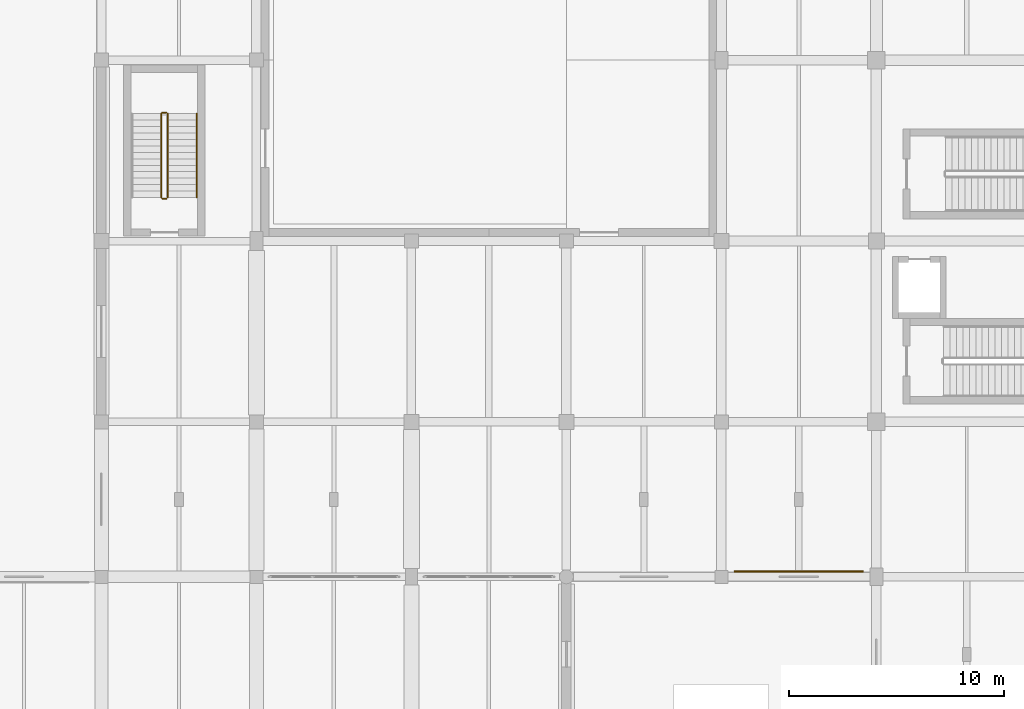
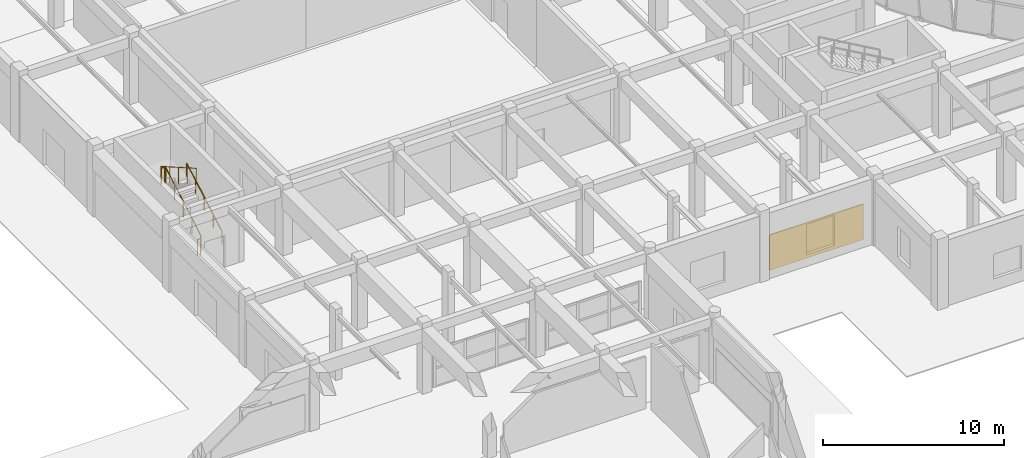
# One storey, part 58 of 72: 5 railings, 1 covering.
"""IFC4 building model written with IfcOpenShell, lengths in metres."""

from ifc_helpers import new_model, si_unit, direction, frame, origin, origin_2d, place, context, subcontext, project, spatial, rectangle, circle, extrude, material, layer, layer_set, type_object, element, save


model = new_model("IFC4")

# Units and contexts
model_context = context("Model", 3, precision=1e-05, world=origin(), true_north=direction((0.0, 1.0)))
body_context = subcontext(model_context, "Body", "Model", "MODEL_VIEW")
ifc_project = project(units=[si_unit("LENGTHUNIT", "METRE"), si_unit("AREAUNIT", "SQUARE_METRE"), si_unit("VOLUMEUNIT", "CUBIC_METRE"), si_unit("PLANEANGLEUNIT", "RADIAN"), si_unit("MASSUNIT", "GRAM", prefix="KILO")], contexts=[model_context])

# Site, building, storey
site_placement = place(None, origin())
site = spatial("IfcSite", under=ifc_project, at=site_placement, CompositionType="ELEMENT")
building_placement = place(site_placement, origin())
building = spatial("IfcBuilding", under=site, at=building_placement, Name="Korsvaeld Concert Hall", CompositionType="ELEMENT")
storey_placement = place(building_placement, origin())
storey = spatial("IfcBuildingStorey", under=building, at=storey_placement, Name="L00", CompositionType="ELEMENT", Elevation=0.0)

# Covering
ifc_material_1 = material(Name="Bornholm Nexo rose-red sandstone ashlar cladding", Category="masonry")
ifc_layer = layer(ifc_material_1, 0.050048828125)
ifc_layer_set = layer_set([ifc_layer], Name="Bornholm Nexo rose-red sandstone ashlar cladding")
covering_type = type_object("IfcCoveringType", Name="COV-CLAD-NEXO", PredefinedType="CLADDING", material=ifc_layer_set)
covering_placement = place(storey_placement, frame((46.800048828125, 36.2451171875, 0.199951171875), z_axis=(0.0, 0.0, 1.0), x_axis=(-1.0, 0.0, 0.0)))
element("IfcCovering", 1, at=covering_placement, inside=storey, type_object=covering_type, Name="Ventilated Nexo sandstone colonnade cladding 120", PredefinedType="CLADDING", context=body_context, shape_type="SweptSolid", body=[
    extrude(rectangle(XDim=6.0, YDim=0.050048828125, at=origin_2d()), origin(), (0.0, 0.0, 1.0), 2.39990234375),
])

# Railings
ifc_material_2 = material(Name="Powder-coated steel and bronze stair guardrail", Category="steel")
railing_type_1 = type_object("IfcRailingType", Name="RL-STAIR-GUARD-120", PredefinedType="GUARDRAIL", material=ifc_material_2)
railing_1_placement = place(storey_placement, frame((17.469970703125, 53.6201171875, 0.17138671875)))
element("IfcRailing", 2, at=railing_1_placement, inside=storey, type_object=railing_type_1, Name="L00 ST-F3 stair guard 1", PredefinedType="GUARDRAIL", context=body_context, shape_type="SweptSolid", body=[
    extrude(circle(Radius=0.02392578125, at=origin_2d()), frame((0.0, 0.0, 1.076171875), z_axis=(0.0, 0.868243142124, 0.496138938357), x_axis=(-1.0, 0.0, 0.0)), (0.0, 0.0, 1.0), 4.49169921875),
    extrude(circle(Radius=0.02099609375, at=origin_2d()), origin(), (0.0, 0.0, 1.0), 1.052001953125),
    extrude(circle(Radius=0.02099609375, at=origin_2d()), frame((0.0, 0.97509765625, 0.55712890625)), (0.0, 0.0, 1.0), 1.052001953125),
    extrude(circle(Radius=0.02099609375, at=origin_2d()), frame((0.0, 1.949951171875, 1.1142578125)), (0.0, 0.0, 1.0), 1.052001953125),
    extrude(circle(Radius=0.02099609375, at=origin_2d()), frame((0.0, 2.9248046875, 1.67138671875)), (0.0, 0.0, 1.0), 1.052001953125),
    extrude(circle(Radius=0.02099609375, at=origin_2d()), frame((0.0, 3.89990234375, 2.228515625)), (0.0, 0.0, 1.0), 1.052001953125),
])
railing_2_placement = place(storey_placement, frame((17.419921875, 57.570068359375, 2.39990234375)))
element("IfcRailing", 3, at=railing_2_placement, inside=storey, type_object=railing_type_1, Name="L00 ST-F3 stair guard 2", PredefinedType="GUARDRAIL", context=body_context, shape_type="SweptSolid", body=[
    extrude(circle(Radius=0.02392578125, at=origin_2d()), frame((0.0, 0.0, 1.076171875), z_axis=(-1.0, 0.0, 0.0), x_axis=(0.0, -1.0, 0.0)), (0.0, 0.0, 1.0), 0.199951171875),
    extrude(circle(Radius=0.02099609375, at=origin_2d()), origin(), (0.0, 0.0, 1.0), 1.052001953125),
    extrude(circle(Radius=0.02099609375, at=origin_2d()), frame((-0.199951171875, 0.0, 0.0)), (0.0, 0.0, 1.0), 1.052001953125),
])
railing_3_placement = place(storey_placement, frame((17.169921875, 57.52001953125, 2.571533203125)))
element("IfcRailing", 4, at=railing_3_placement, inside=storey, type_object=railing_type_1, Name="L00 ST-F3 stair guard 3", PredefinedType="GUARDRAIL", context=body_context, shape_type="SweptSolid", body=[
    extrude(circle(Radius=0.02392578125, at=origin_2d()), frame((0.0, 0.0, 1.076171875), z_axis=(0.0, -0.868243142124, 0.496138938357), x_axis=(1.0, 0.0, 0.0)), (0.0, 0.0, 1.0), 4.49169921875),
    extrude(circle(Radius=0.02099609375, at=origin_2d()), origin(), (0.0, 0.0, 1.0), 1.052001953125),
    extrude(circle(Radius=0.02099609375, at=origin_2d()), frame((0.0, -0.97509765625, 0.55712890625)), (0.0, 0.0, 1.0), 1.052001953125),
    extrude(circle(Radius=0.02099609375, at=origin_2d()), frame((0.0, -1.949951171875, 1.1142578125)), (0.0, 0.0, 1.0), 1.052001953125),
    extrude(circle(Radius=0.02099609375, at=origin_2d()), frame((0.0, -2.9248046875, 1.67138671875)), (0.0, 0.0, 1.0), 1.052001953125),
    extrude(circle(Radius=0.02099609375, at=origin_2d()), frame((0.0, -3.89990234375, 2.228515625)), (0.0, 0.0, 1.0), 1.052001953125),
])
railing_4_placement = place(storey_placement, frame((17.419921875, 53.570068359375, 0.0)))
element("IfcRailing", 5, at=railing_4_placement, inside=storey, type_object=railing_type_1, Name="L00 ST-F3 stair guard 4", PredefinedType="GUARDRAIL", context=body_context, shape_type="SweptSolid", body=[
    extrude(circle(Radius=0.02392578125, at=origin_2d()), frame((0.0, 0.0, 1.076171875), z_axis=(-1.0, 0.0, 0.0), x_axis=(0.0, -1.0, 0.0)), (0.0, 0.0, 1.0), 0.199951171875),
    extrude(circle(Radius=0.02099609375, at=origin_2d()), origin(), (0.0, 0.0, 1.0), 1.052001953125),
    extrude(circle(Radius=0.02099609375, at=origin_2d()), frame((-0.199951171875, 0.0, 0.0)), (0.0, 0.0, 1.0), 1.052001953125),
])
ifc_material_3 = material(Name="European oak and bronze stair handrail")
railing_type_2 = type_object("IfcRailingType", Name="RL-STAIR-HAND-90", PredefinedType="HANDRAIL", material=ifc_material_3)
railing_5_placement = place(storey_placement, frame((18.820068359375, 53.6201171875, 0.17138671875)))
element("IfcRailing", 6, at=railing_5_placement, inside=storey, type_object=railing_type_2, Name="L00 ST-F3 stair handrail 1", PredefinedType="HANDRAIL", context=body_context, shape_type="SweptSolid", body=[
    extrude(circle(Radius=0.02392578125, at=origin_2d()), frame((0.0, 0.0, 0.8759765625), z_axis=(0.0, 0.868243142124, 0.496138938357), x_axis=(-1.0, 0.0, 0.0)), (0.0, 0.0, 1.0), 4.49169921875),
    extrude(circle(Radius=0.02099609375, at=origin_2d()), origin(), (0.0, 0.0, 1.0), 0.851806640625),
    extrude(circle(Radius=0.02099609375, at=origin_2d()), frame((0.0, 0.97509765625, 0.55712890625)), (0.0, 0.0, 1.0), 0.851806640625),
    extrude(circle(Radius=0.02099609375, at=origin_2d()), frame((0.0, 1.949951171875, 1.1142578125)), (0.0, 0.0, 1.0), 0.851806640625),
    extrude(circle(Radius=0.02099609375, at=origin_2d()), frame((0.0, 2.9248046875, 1.67138671875)), (0.0, 0.0, 1.0), 0.851806640625),
    extrude(circle(Radius=0.02099609375, at=origin_2d()), frame((0.0, 3.89990234375, 2.228515625)), (0.0, 0.0, 1.0), 0.851806640625),
])

save(model, "model.ifc")
